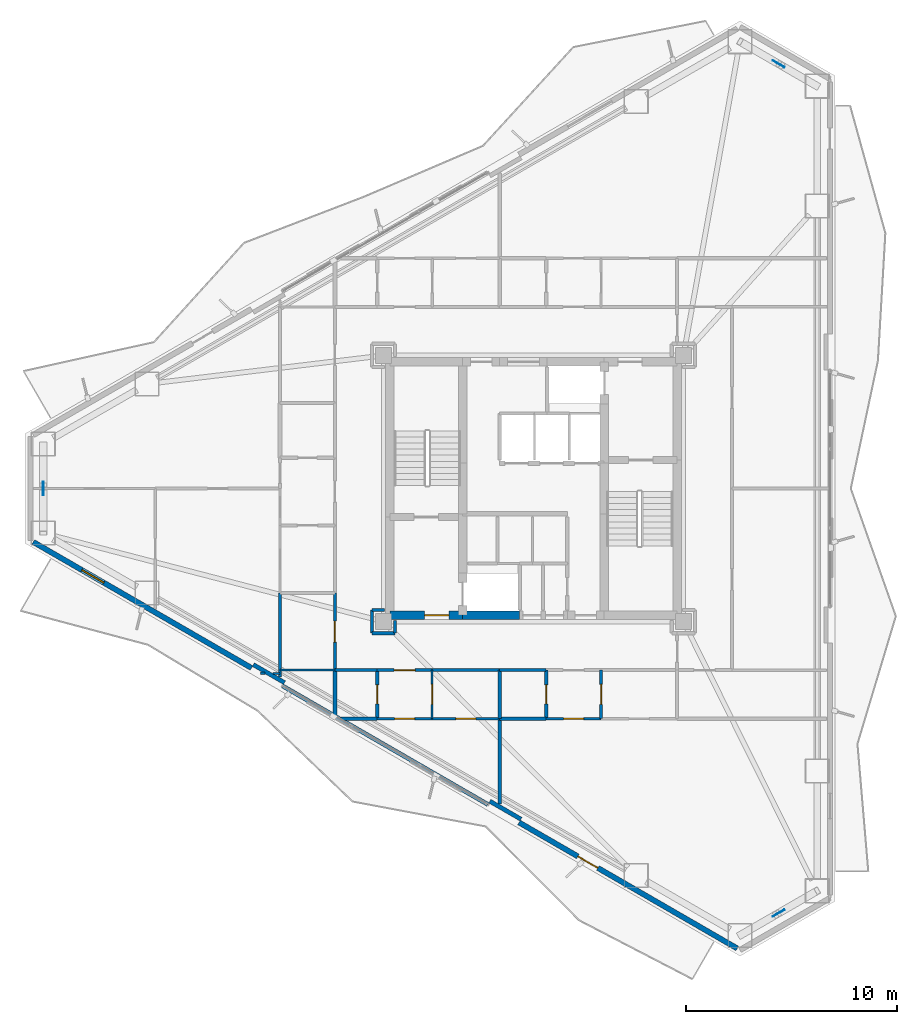
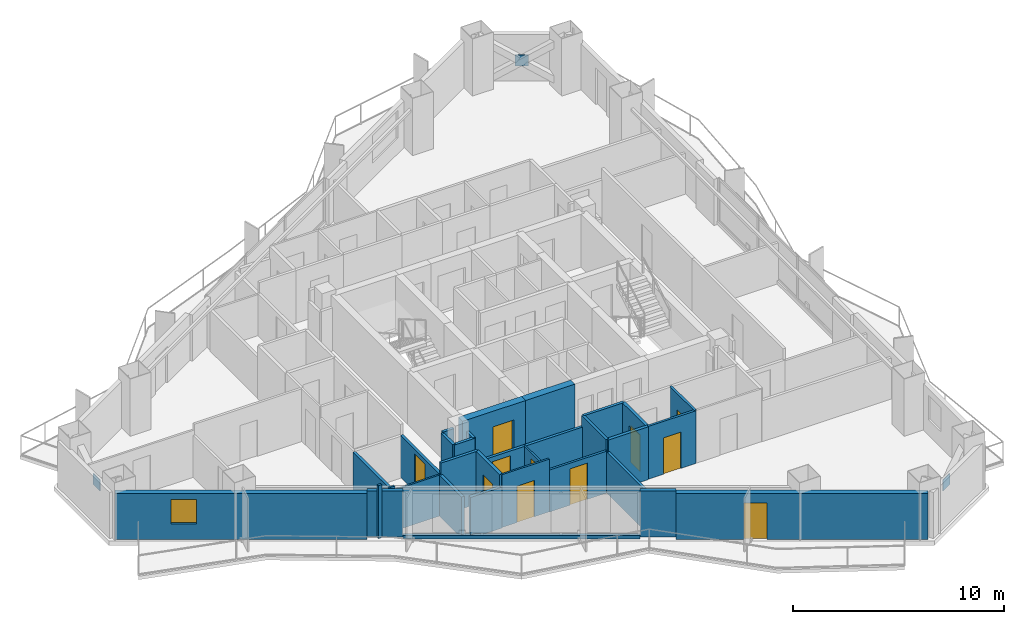
# One storey, part 15 of 22: 32 walls, 11 doors, 3 plates, 1 window, 12 openings.
"""IFC4 building model written with IfcOpenShell, lengths in metres."""

from ifc_helpers import new_model, si_unit, direction, frame, frame_2d, origin, origin_2d, place, context, subcontext, project, spatial, rectangle, extrude, material, layer, layer_set, type_object, element, fill, save


model = new_model("IFC4")

# Units and contexts
model_context = context("Model", 3, precision=1e-05, world=origin(), true_north=direction((0.0, 1.0)))
body_context = subcontext(model_context, "Body", "Model", "MODEL_VIEW")
ifc_project = project(units=[si_unit("LENGTHUNIT", "METRE"), si_unit("AREAUNIT", "SQUARE_METRE"), si_unit("VOLUMEUNIT", "CUBIC_METRE"), si_unit("PLANEANGLEUNIT", "RADIAN"), si_unit("MASSUNIT", "GRAM", prefix="KILO")], contexts=[model_context])

# Site, building, storey
site_placement = place(None, origin())
site = spatial("IfcSite", under=ifc_project, at=site_placement, CompositionType="ELEMENT")
building_placement = place(site_placement, origin())
building = spatial("IfcBuilding", under=site, at=building_placement, Name="Mersakhor Tower and Convention Hall", CompositionType="ELEMENT")
storey_placement = place(building_placement, frame((0.0, 0.0, 99.89990234375)))
storey = spatial("IfcBuildingStorey", under=building, at=storey_placement, Name="L27", CompositionType="ELEMENT", Elevation=99.89990234375)

# Plates
ifc_material_1 = material(Name="Steel S460", Category="steel")
ifc_layer_1 = layer(ifc_material_1, 0.0400390625)
ifc_layer_set_1 = layer_set([ifc_layer_1], Name="Steel S460")
plate_type = type_object("IfcPlateType", Name="PL-GUSSET-40", PredefinedType="SHEET", material=ifc_layer_set_1)
for number, where, z_axis, x_axis, name in (
    (1, (40.606689453125, 46.853515625, 1.205078125), (0.0, 0.0, 1.0), (-0.866025403784, 0.5, 0.0), "L27 X-Brace Crossing Gusset Node Plate"),
    (2, (40.606689453125, 6.646728515625, 1.205078125), (0.0, 0.0, 1.0), (0.866025403784, 0.5, 0.0), "L27 X-Brace Crossing Gusset Node Plate"),
    (3, (5.78662109375, 26.75, 1.205078125), (0.0, 0.0, 1.0), (0.0, -1.0, 0.0), "L27 X-Brace Crossing Gusset Node Plate"),
):
    element("IfcPlate", number, at=place(storey_placement, frame(where, z_axis=z_axis, x_axis=x_axis)), inside=storey, type_object=plate_type, Name=name, PredefinedType="SHEET", context=body_context, shape_type="SweptSolid", body=[
        extrude(rectangle(XDim=0.639892578125, YDim=0.0400390625, at=origin_2d()), origin(), (0.0, 0.0, 1.0), 0.639892578125),
    ])

# Wall, opening, door
ifc_material_2 = material(Name="Precast concrete C40/50", Category="concrete")
ifc_layer_2 = layer(ifc_material_2, 0.25)
ifc_layer_set_2 = layer_set([ifc_layer_2], Name="Precast concrete C40/50")
wall_type_1 = type_object("IfcWallType", Name="WL-EXT-250", PredefinedType="SOLIDWALL", material=ifc_layer_set_2)
wall_1_placement = place(storey_placement, frame((38.648681640625, 4.973388671875, 0.0), z_axis=(0.0, 0.0, 1.0), x_axis=(-0.866023023012, 0.500004123596, 0.0)))
wall_1 = element("IfcWall", 4, at=wall_1_placement, inside=storey, type_object=wall_type_1, Name="L27 Exterior Facade Wall F3-B1", PredefinedType="SOLIDWALL", context=body_context, shape_type="SweptSolid", body=[
    extrude(rectangle(XDim=11.9296875, YDim=0.25, at=frame_2d((5.96484375, 0.0))), origin(), (0.0, 0.0, 1.0), 2.670166015625),
])
opening_1_placement = place(wall_1_placement, frame((7.615966796875, 0.0, 0.0)))
opening_1 = element("IfcOpeningElement", 5, at=opening_1_placement, cuts=wall_1, Name="Opening BD-02", PredefinedType="OPENING", context=body_context, shape_type="SweptSolid", body=[
    extrude(rectangle(XDim=1.10009765625, YDim=2.10009765625, at=frame_2d((0.550048828125, 1.050048828125))), frame((0.0, 0.135009765625, 0.0), z_axis=(0.0, -1.0, 0.0), x_axis=(1.0, 0.0, 0.0)), (0.0, 0.0, 1.0), 0.27001953125),
])
ifc_material_3 = material(Name="Thermally broken dark aluminium and safety glass", Category="aluminium")
door_type_1 = type_object("IfcDoorType", Name="DR-BAL-110x210", OperationType="NOTDEFINED", PredefinedType="DOOR", material=ifc_material_3)
door_1_placement = place(opening_1_placement, origin())
door_1 = element("IfcDoor", 6, at=door_1_placement, inside=storey, type_object=door_type_1, Name="L27 Balcony Terrace Door F3-B1", OperationType="SINGLE_SWING_RIGHT", OverallHeight=2.10009765625, OverallWidth=1.10009765625, PredefinedType="DOOR", context=body_context, shape_type="SweptSolid", body=[
    extrude(rectangle(XDim=1.10009765625, YDim=2.10009765625, at=frame_2d((0.550048828125, 1.050048828125))), frame((0.0, 0.02490234375, 0.0), z_axis=(0.0, -1.0, 0.0), x_axis=(1.0, 0.0, 0.0)), (0.0, 0.0, 1.0), 0.050048828125),
])
fill(opening_1, door_1)

# Wall, opening, window
wall_2_placement = place(storey_placement, frame((15.64794921875, 18.2529296875, 0.0), z_axis=(0.0, 0.0, 1.0), x_axis=(-0.866023023012, 0.500004123596, 0.0)))
wall_2 = element("IfcWall", 7, at=wall_2_placement, inside=storey, type_object=wall_type_1, Name="L27 Exterior Facade Wall F3-B3", PredefinedType="SOLIDWALL", context=body_context, shape_type="SweptSolid", body=[
    extrude(rectangle(XDim=11.9296875, YDim=0.25, at=frame_2d((5.96484375, 0.0))), origin(), (0.0, 0.0, 1.0), 2.670166015625),
])
opening_2_placement = place(wall_2_placement, frame((8.071044921875, 0.0, 0.89990234375)))
opening_2 = element("IfcOpeningElement", 8, at=opening_2_placement, cuts=wall_2, Name="Opening W-01", PredefinedType="OPENING", context=body_context, shape_type="SweptSolid", body=[
    extrude(rectangle(XDim=1.199951171875, YDim=1.39990234375, at=frame_2d((0.60009765625, 0.699951171875))), frame((0.0, 0.135009765625, 0.0), z_axis=(0.0, -1.0, 0.0), x_axis=(1.0, 0.0, 0.0)), (0.0, 0.0, 1.0), 0.27001953125),
])
ifc_material_4 = material(Name="Dark solar low-E glazed aluminium window", Category="aluminium")
window_type = type_object("IfcWindowType", Name="WN-RES-120x150", PartitioningType="SINGLE_PANEL", PredefinedType="WINDOW", material=ifc_material_4)
window_placement = place(opening_2_placement, origin())
window = element("IfcWindow", 9, at=window_placement, inside=storey, type_object=window_type, Name="L27 Bedroom Facade Window F3-B3-1", OverallHeight=1.39990234375, OverallWidth=1.199951171875, PartitioningType="SINGLE_PANEL", PredefinedType="WINDOW", context=body_context, shape_type="SweptSolid", body=[
    extrude(rectangle(XDim=1.199951171875, YDim=1.39990234375, at=frame_2d((0.60009765625, 0.699951171875))), frame((0.0, 0.030029296875, 0.0), z_axis=(0.0, -1.0, 0.0), x_axis=(1.0, 0.0, 0.0)), (0.0, 0.0, 1.0), 0.06005859375),
])
fill(opening_2, window)

# Walls
ifc_material_5 = material(Name="Precast concrete C40/50", Category="concrete")
ifc_layer_3 = layer(ifc_material_5, 0.199951171875)
ifc_layer_set_3 = layer_set([ifc_layer_3], Name="Precast concrete C40/50")
wall_type_2 = type_object("IfcWallType", Name="WL-PAR-200", PredefinedType="PARAPET", material=ifc_layer_set_3)
wall_3_placement = place(storey_placement, frame((26.84521484375, 11.788330078125, 0.0), z_axis=(0.0, 0.0, 1.0), x_axis=(-0.866027010039, 0.499997217876, 0.0)))
element("IfcWall", 10, at=wall_3_placement, inside=storey, type_object=wall_type_2, Name="L27 Curtain Wall Upstand Sill F3-B2", PredefinedType="PARAPET", context=body_context, shape_type="SweptSolid", body=[
    extrude(rectangle(XDim=11.2294921875, YDim=0.199951171875, at=frame_2d((5.61474609375, 0.0))), origin(), (0.0, 0.0, 1.0), 0.2001953125),
])
wall_4_placement = place(storey_placement, frame((28.407470703125, 11.09423828125, 0.0), z_axis=(0.0, 0.0, 1.0), x_axis=(-0.86605165483, 0.499954529098, 0.0)))
element("IfcWall", 11, at=wall_4_placement, inside=storey, type_object=wall_type_2, Name="L27 Column Pier Cladding Wall F3-C1", PredefinedType="PARAPET", context=body_context, shape_type="SweptSolid", body=[
    extrude(rectangle(XDim=1.699951171875, YDim=0.199951171875, at=frame_2d((0.85009765625, 0.0))), origin(), (0.0, 0.0, 1.0), 2.670166015625),
])
wall_5_placement = place(storey_placement, frame((17.210205078125, 17.558837890625, 0.0), z_axis=(0.0, 0.0, 1.0), x_axis=(-0.866025371046, 0.500000056704, 0.0)))
element("IfcWall", 12, at=wall_5_placement, inside=storey, type_object=wall_type_2, Name="L27 Column Pier Cladding Wall F3-C2", PredefinedType="PARAPET", context=body_context, shape_type="SweptSolid", body=[
    extrude(rectangle(XDim=1.7001953125, YDim=0.199951171875, at=frame_2d((0.85009765625, 0.0))), origin(), (0.0, 0.0, 1.0), 2.670166015625),
])

# Wall, opening, door
ifc_material_6 = material(Name="Moisture-resistant acoustic drywall studwork", Category="other")
ifc_layer_4 = layer(ifc_material_6, 0.175048828125)
ifc_layer_set_4 = layer_set([ifc_layer_4], Name="Moisture-resistant acoustic drywall studwork")
wall_type_3 = type_object("IfcWallType", Name="WL-PLM-175", PredefinedType="PLUMBINGWALL", material=ifc_layer_set_4)
wall_6_placement = place(storey_placement, frame((21.60009765625, 15.85009765625, 0.0), z_axis=(0.0, 0.0, 1.0), x_axis=(0.0, 1.0, 0.0)))
wall_6 = element("IfcWall", 13, at=wall_6_placement, inside=storey, type_object=wall_type_3, Name="L27 Interior Partition Wall P-067", PredefinedType="PLUMBINGWALL", context=body_context, shape_type="SweptSolid", body=[
    extrude(rectangle(XDim=2.2998046875, YDim=0.175048828125, at=frame_2d((1.14990234375, 0.0))), origin(), (0.0, 0.0, 1.0), 3.050048828125),
])
opening_3_placement = place(wall_6_placement, frame((0.699951171875, 0.0, 0.0)))
opening_3 = element("IfcOpeningElement", 14, at=opening_3_placement, cuts=wall_6, Name="Opening WD-01", PredefinedType="OPENING", context=body_context, shape_type="SweptSolid", body=[
    extrude(rectangle(XDim=0.89990234375, YDim=2.10009765625, at=frame_2d((0.449951171875, 1.050048828125))), frame((0.0, 0.097412109375, 0.0), z_axis=(0.0, -1.0, 0.0), x_axis=(1.0, 0.0, 0.0)), (0.0, 0.0, 1.0), 0.195068359375),
])
ifc_material_7 = material(Name="Solid-core hardwood leaf in painted steel frame", Category="steel")
door_type_2 = type_object("IfcDoorType", Name="DR-INT-WET-090x210", OperationType="NOTDEFINED", PredefinedType="DOOR", material=ifc_material_7)
door_2_placement = place(opening_3_placement, origin())
door_2 = element("IfcDoor", 15, at=door_2_placement, inside=storey, type_object=door_type_2, Name="L27 L27 Flat S3 Apartment Hall to L27 Flat S3 Bathroom Door", OperationType="SINGLE_SWING_LEFT", OverallHeight=2.10009765625, OverallWidth=0.89990234375, PredefinedType="DOOR", context=body_context, shape_type="SweptSolid", body=[
    extrude(rectangle(XDim=0.89990234375, YDim=2.10009765625, at=frame_2d((0.449951171875, 1.050048828125))), frame((0.0, 0.02490234375, 0.0), z_axis=(0.0, -1.0, 0.0), x_axis=(1.0, 0.0, 0.0)), (0.0, 0.0, 1.0), 0.050048828125),
])
fill(opening_3, door_2)

wall_7_placement = place(storey_placement, frame((29.60009765625, 15.85009765625, 0.0), z_axis=(0.0, 0.0, 1.0), x_axis=(0.0, 1.0, 0.0)))
wall_7 = element("IfcWall", 16, at=wall_7_placement, inside=storey, type_object=wall_type_3, Name="L27 Interior Partition Wall P-070", PredefinedType="PLUMBINGWALL", context=body_context, shape_type="SweptSolid", body=[
    extrude(rectangle(XDim=2.2998046875, YDim=0.175048828125, at=frame_2d((1.14990234375, 0.0))), origin(), (0.0, 0.0, 1.0), 3.050048828125),
])
opening_4_placement = place(wall_7_placement, frame((0.699951171875, 0.0, 0.0)))
opening_4 = element("IfcOpeningElement", 17, at=opening_4_placement, cuts=wall_7, Name="Opening WD-01", PredefinedType="OPENING", context=body_context, shape_type="SweptSolid", body=[
    extrude(rectangle(XDim=0.89990234375, YDim=2.10009765625, at=frame_2d((0.449951171875, 1.050048828125))), frame((0.0, 0.097412109375, 0.0), z_axis=(0.0, -1.0, 0.0), x_axis=(1.0, 0.0, 0.0)), (0.0, 0.0, 1.0), 0.195068359375),
])
door_3_placement = place(opening_4_placement, origin())
door_3 = element("IfcDoor", 18, at=door_3_placement, inside=storey, type_object=door_type_2, Name="L27 L27 Flat S4 Apartment Hall to L27 Flat S4 Bathroom Door", OperationType="SINGLE_SWING_RIGHT", OverallHeight=2.10009765625, OverallWidth=0.89990234375, PredefinedType="DOOR", context=body_context, shape_type="SweptSolid", body=[
    extrude(rectangle(XDim=0.89990234375, YDim=2.10009765625, at=frame_2d((0.449951171875, 1.050048828125))), frame((0.0, 0.02490234375, 0.0), z_axis=(0.0, -1.0, 0.0), x_axis=(1.0, 0.0, 0.0)), (0.0, 0.0, 1.0), 0.050048828125),
])
fill(opening_4, door_3)

# Walls
wall_8_placement = place(storey_placement, frame((21.60009765625, 15.85009765625, 0.0), z_axis=(0.0, 0.0, 1.0), x_axis=(-1.0, 0.0, 0.0)))
element("IfcWall", 19, at=wall_8_placement, inside=storey, type_object=wall_type_3, Name="L27 Interior Partition Wall P-083", PredefinedType="PLUMBINGWALL", context=body_context, shape_type="SweptSolid", body=[
    extrude(rectangle(XDim=1.724609375, YDim=0.175048828125, at=frame_2d((0.8623046875, 0.0))), origin(), (0.0, 0.0, 1.0), 2.364990234375),
])
wall_9_placement = place(storey_placement, frame((19.60009765625, 16.012939453125, 0.0), z_axis=(0.0, 0.0, 1.0), x_axis=(0.0, 1.0, 0.0)))
element("IfcWall", 20, at=wall_9_placement, inside=storey, type_object=wall_type_3, Name="L27 Interior Partition Wall P-084", PredefinedType="PLUMBINGWALL", context=body_context, shape_type="SweptSolid", body=[
    extrude(rectangle(XDim=2.136962890625, YDim=0.175048828125, at=frame_2d((1.068359375, 0.0))), origin(), (0.0, 0.0, 1.0), 2.364990234375),
])
wall_10_placement = place(storey_placement, frame((29.60009765625, 15.85009765625, 0.0), z_axis=(0.0, 0.0, 1.0), x_axis=(-1.0, 0.0, 0.0)))
element("IfcWall", 21, at=wall_10_placement, inside=storey, type_object=wall_type_3, Name="L27 Interior Partition Wall P-087", PredefinedType="PLUMBINGWALL", context=body_context, shape_type="SweptSolid", body=[
    extrude(rectangle(XDim=2.2001953125, YDim=0.175048828125, at=frame_2d((1.10009765625, 0.0))), origin(), (0.0, 0.0, 1.0), 3.050048828125),
])

# Wall, opening, door
ifc_material_8 = material(Name="Lightweight gypsum partition", Category="other")
ifc_layer_5 = layer(ifc_material_8, 0.10009765625)
ifc_layer_set_5 = layer_set([ifc_layer_5], Name="Lightweight gypsum partition")
wall_type_4 = type_object("IfcWallType", Name="WL-PRT-100", PredefinedType="PARTITIONING", material=ifc_layer_set_5)
wall_11_placement = place(storey_placement, frame((24.199951171875, 15.85009765625, 0.0), z_axis=(0.0, 0.0, 1.0), x_axis=(-1.0, 0.0, 0.0)))
wall_11 = element("IfcWall", 22, at=wall_11_placement, inside=storey, type_object=wall_type_4, Name="L27 Interior Partition Wall P-066", PredefinedType="PARTITIONING", context=body_context, shape_type="SweptSolid", body=[
    extrude(rectangle(XDim=2.599853515625, YDim=0.10009765625, at=frame_2d((1.2998046875, 0.0))), origin(), (0.0, 0.0, 1.0), 3.050048828125),
])
opening_5_placement = place(wall_11_placement, frame((0.824951171875, 0.0, 0.0)))
opening_5 = element("IfcOpeningElement", 23, at=opening_5_placement, cuts=wall_11, Name="Opening RD-01", PredefinedType="OPENING", context=body_context, shape_type="SweptSolid", body=[
    extrude(rectangle(XDim=0.949951171875, YDim=2.10009765625, at=frame_2d((0.47509765625, 1.050048828125))), frame((0.0, 0.06005859375, 0.0), z_axis=(0.0, -1.0, 0.0), x_axis=(1.0, 0.0, 0.0)), (0.0, 0.0, 1.0), 0.1201171875),
])
ifc_material_9 = material(Name="Solid-core hardwood leaf in painted steel frame", Category="steel")
door_type_3 = type_object("IfcDoorType", Name="DR-INT-RM-095x210", OperationType="NOTDEFINED", PredefinedType="DOOR", material=ifc_material_9)
door_4_placement = place(opening_5_placement, origin())
door_4 = element("IfcDoor", 24, at=door_4_placement, inside=storey, type_object=door_type_3, Name="L27 L27 Flat S3 Apartment Hall to L27 Flat S3 Studio Living and Sleeping Room Door", OperationType="SINGLE_SWING_LEFT", OverallHeight=2.10009765625, OverallWidth=0.949951171875, PredefinedType="DOOR", context=body_context, shape_type="SweptSolid", body=[
    extrude(rectangle(XDim=0.949951171875, YDim=2.10009765625, at=frame_2d((0.47509765625, 1.050048828125))), frame((0.0, 0.02490234375, 0.0), z_axis=(0.0, -1.0, 0.0), x_axis=(1.0, 0.0, 0.0)), (0.0, 0.0, 1.0), 0.050048828125),
])
fill(opening_5, door_4)

wall_12_placement = place(storey_placement, frame((24.199951171875, 18.14990234375, 0.0), z_axis=(0.0, 0.0, 1.0), x_axis=(0.0, -1.0, 0.0)))
wall_12 = element("IfcWall", 25, at=wall_12_placement, inside=storey, type_object=wall_type_4, Name="L27 Interior Partition Wall P-068", PredefinedType="PARTITIONING", context=body_context, shape_type="SweptSolid", body=[
    extrude(rectangle(XDim=2.2998046875, YDim=0.10009765625, at=frame_2d((1.14990234375, 0.0))), origin(), (0.0, 0.0, 1.0), 2.4228515625),
])
opening_6_placement = place(wall_12_placement, frame((0.675048828125, 0.0, 0.0)))
opening_6 = element("IfcOpeningElement", 26, at=opening_6_placement, cuts=wall_12, Name="Opening RD-01", PredefinedType="OPENING", context=body_context, shape_type="SweptSolid", body=[
    extrude(rectangle(XDim=0.949951171875, YDim=2.10009765625, at=frame_2d((0.47509765625, 1.050048828125))), frame((0.0, 0.06005859375, 0.0), z_axis=(0.0, -1.0, 0.0), x_axis=(1.0, 0.0, 0.0)), (0.0, 0.0, 1.0), 0.1201171875),
])
door_5_placement = place(opening_6_placement, origin())
door_5 = element("IfcDoor", 27, at=door_5_placement, inside=storey, type_object=door_type_3, Name="L27 L27 Flat S3 Apartment Hall to L27 Flat S3 Kitchen Door", OperationType="SINGLE_SWING_RIGHT", OverallHeight=2.10009765625, OverallWidth=0.949951171875, PredefinedType="DOOR", context=body_context, shape_type="SweptSolid", body=[
    extrude(rectangle(XDim=0.949951171875, YDim=2.10009765625, at=frame_2d((0.47509765625, 1.050048828125))), frame((0.0, 0.02490234375, 0.0), z_axis=(0.0, -1.0, 0.0), x_axis=(1.0, 0.0, 0.0)), (0.0, 0.0, 1.0), 0.050048828125),
])
fill(opening_6, door_5)

# Walls
wall_13_placement = place(storey_placement, frame((19.60009765625, 18.14990234375, 0.0), z_axis=(0.0, 0.0, 1.0), x_axis=(-1.0, 0.0, 0.0)))
element("IfcWall", 28, at=wall_13_placement, inside=storey, type_object=wall_type_4, Name="L27 Interior Partition Wall P-102", PredefinedType="PARTITIONING", context=body_context, shape_type="SweptSolid", body=[
    extrude(rectangle(XDim=2.60009765625, YDim=0.10009765625, at=frame_2d((1.300048828125, 0.0))), origin(), (0.0, 0.0, 1.0), 2.364990234375),
])
wall_14_placement = place(storey_placement, frame((17.0, 18.0, 0.0), z_axis=(0.0, 0.0, 1.0), x_axis=(-1.0, 0.0, 0.0)))
element("IfcWall", 29, at=wall_14_placement, inside=storey, type_object=wall_type_4, Name="L27 Interior Partition Wall P-112", PredefinedType="PARTITIONING", context=body_context, shape_type="SweptSolid", body=[
    extrude(rectangle(XDim=0.328369140625, YDim=0.10009765625, at=frame_2d((0.1640625, 0.0))), origin(), (0.0, 0.0, 1.0), 2.714599609375),
])

# Wall, opening, door
ifc_material_10 = material(Name="Gypsum board acoustic partition", Category="other")
ifc_layer_6 = layer(ifc_material_10, 0.125)
ifc_layer_set_6 = layer_set([ifc_layer_6], Name="Gypsum board acoustic partition")
wall_type_5 = type_object("IfcWallType", Name="WL-PRT-125", PredefinedType="PARTITIONING", material=ifc_layer_set_6)
wall_15_placement = place(storey_placement, frame((32.199951171875, 15.85009765625, 0.0), z_axis=(0.0, 0.0, 1.0), x_axis=(-1.0, 0.0, 0.0)))
wall_15 = element("IfcWall", 30, at=wall_15_placement, inside=storey, type_object=wall_type_5, Name="L27 Interior Partition Wall P-069", PredefinedType="PARTITIONING", context=body_context, shape_type="SweptSolid", body=[
    extrude(rectangle(XDim=2.599853515625, YDim=0.125, at=frame_2d((1.2998046875, 0.0))), origin(), (0.0, 0.0, 1.0), 3.050048828125),
])
opening_7_placement = place(wall_15_placement, frame((0.824951171875, 0.0, 0.0)))
opening_7 = element("IfcOpeningElement", 31, at=opening_7_placement, cuts=wall_15, Name="Opening RD-01", PredefinedType="OPENING", context=body_context, shape_type="SweptSolid", body=[
    extrude(rectangle(XDim=0.949951171875, YDim=2.10009765625, at=frame_2d((0.47509765625, 1.050048828125))), frame((0.0, 0.072509765625, 0.0), z_axis=(0.0, -1.0, 0.0), x_axis=(1.0, 0.0, 0.0)), (0.0, 0.0, 1.0), 0.14501953125),
])
door_6_placement = place(opening_7_placement, origin())
door_6 = element("IfcDoor", 32, at=door_6_placement, inside=storey, type_object=door_type_3, Name="L27 L27 Flat S4 Apartment Hall to L27 Flat S4 Studio Living and Sleeping Room Door", OperationType="SINGLE_SWING_RIGHT", OverallHeight=2.10009765625, OverallWidth=0.949951171875, PredefinedType="DOOR", context=body_context, shape_type="SweptSolid", body=[
    extrude(rectangle(XDim=0.949951171875, YDim=2.10009765625, at=frame_2d((0.47509765625, 1.050048828125))), frame((0.0, 0.02490234375, 0.0), z_axis=(0.0, -1.0, 0.0), x_axis=(1.0, 0.0, 0.0)), (0.0, 0.0, 1.0), 0.050048828125),
])
fill(opening_7, door_6)

wall_16_placement = place(storey_placement, frame((32.199951171875, 18.14990234375, 0.0), z_axis=(0.0, 0.0, 1.0), x_axis=(0.0, -1.0, 0.0)))
wall_16 = element("IfcWall", 33, at=wall_16_placement, inside=storey, type_object=wall_type_5, Name="L27 Interior Partition Wall P-071", PredefinedType="PARTITIONING", context=body_context, shape_type="SweptSolid", body=[
    extrude(rectangle(XDim=2.2998046875, YDim=0.125, at=frame_2d((1.14990234375, 0.0))), origin(), (0.0, 0.0, 1.0), 3.050048828125),
])
opening_8_placement = place(wall_16_placement, frame((0.675048828125, 0.0, 0.0)))
opening_8 = element("IfcOpeningElement", 34, at=opening_8_placement, cuts=wall_16, Name="Opening RD-01", PredefinedType="OPENING", context=body_context, shape_type="SweptSolid", body=[
    extrude(rectangle(XDim=0.949951171875, YDim=2.10009765625, at=frame_2d((0.47509765625, 1.050048828125))), frame((0.0, 0.072509765625, 0.0), z_axis=(0.0, -1.0, 0.0), x_axis=(1.0, 0.0, 0.0)), (0.0, 0.0, 1.0), 0.14501953125),
])
door_7_placement = place(opening_8_placement, origin())
door_7 = element("IfcDoor", 35, at=door_7_placement, inside=storey, type_object=door_type_3, Name="L27 L27 Flat S4 Apartment Hall to L27 Flat S4 Kitchen Door", OperationType="SINGLE_SWING_LEFT", OverallHeight=2.10009765625, OverallWidth=0.949951171875, PredefinedType="DOOR", context=body_context, shape_type="SweptSolid", body=[
    extrude(rectangle(XDim=0.949951171875, YDim=2.10009765625, at=frame_2d((0.47509765625, 1.050048828125))), frame((0.0, 0.02490234375, 0.0), z_axis=(0.0, -1.0, 0.0), x_axis=(1.0, 0.0, 0.0)), (0.0, 0.0, 1.0), 0.050048828125),
])
fill(opening_8, door_7)

wall_17_placement = place(storey_placement, frame((27.39990234375, 15.85009765625, 0.0), z_axis=(0.0, 0.0, 1.0), x_axis=(-1.0, 0.0, 0.0)))
wall_17 = element("IfcWall", 36, at=wall_17_placement, inside=storey, type_object=wall_type_5, Name="L27 Interior Partition Wall P-085", PredefinedType="PARTITIONING", context=body_context, shape_type="SweptSolid", body=[
    extrude(rectangle(XDim=3.199951171875, YDim=0.125, at=frame_2d((1.60009765625, 0.0))), origin(), (0.0, 0.0, 1.0), 2.4228515625),
])
opening_9_placement = place(wall_17_placement, frame((1.125, 0.0, 0.0)))
opening_9 = element("IfcOpeningElement", 37, at=opening_9_placement, cuts=wall_17, Name="Opening RD-01", PredefinedType="OPENING", context=body_context, shape_type="SweptSolid", body=[
    extrude(rectangle(XDim=0.949951171875, YDim=2.10009765625, at=frame_2d((0.47509765625, 1.050048828125))), frame((0.0, 0.072509765625, 0.0), z_axis=(0.0, -1.0, 0.0), x_axis=(1.0, 0.0, 0.0)), (0.0, 0.0, 1.0), 0.14501953125),
])
door_8_placement = place(opening_9_placement, origin())
door_8 = element("IfcDoor", 38, at=door_8_placement, inside=storey, type_object=door_type_3, Name="L27 L27 Flat S3 Kitchen to L27 Flat S3 Studio Living and Sleeping Room Door", OperationType="SINGLE_SWING_LEFT", OverallHeight=2.10009765625, OverallWidth=0.949951171875, PredefinedType="DOOR", context=body_context, shape_type="SweptSolid", body=[
    extrude(rectangle(XDim=0.949951171875, YDim=2.10009765625, at=frame_2d((0.47509765625, 1.050048828125))), frame((0.0, 0.02490234375, 0.0), z_axis=(0.0, -1.0, 0.0), x_axis=(1.0, 0.0, 0.0)), (0.0, 0.0, 1.0), 0.050048828125),
])
fill(opening_9, door_8)

# Walls
wall_18_placement = place(storey_placement, frame((16.2861328125, 18.0, 0.0), z_axis=(0.0, 0.0, 1.0), x_axis=(-1.0, 0.0, 0.0)))
element("IfcWall", 39, at=wall_18_placement, inside=storey, type_object=wall_type_5, Name="L27 Interior Partition Wall P-113", PredefinedType="PARTITIONING", context=body_context, shape_type="SweptSolid", body=[
    extrude(rectangle(XDim=0.2001953125, YDim=0.125, at=frame_2d((0.10009765625, 0.0))), origin(), (0.0, 0.0, 1.0), 3.050048828125),
])
ifc_material_11 = material(Name="Fire-rated gypsum board stud partition", Category="other")
ifc_layer_7 = layer(ifc_material_11, 0.14990234375)
ifc_layer_set_7 = layer_set([ifc_layer_7], Name="Fire-rated gypsum board stud partition")
wall_type_6 = type_object("IfcWallType", Name="WL-PRT-150", PredefinedType="PARTITIONING", material=ifc_layer_set_7)
wall_19_placement = place(storey_placement, frame((21.35009765625, 19.89990234375, 0.0), z_axis=(0.0, 0.0, 1.0), x_axis=(1.0, 0.0, 0.0)))
element("IfcWall", 40, at=wall_19_placement, inside=storey, type_object=wall_type_6, Name="L27 Interior Partition Wall P-019", PredefinedType="PARTITIONING", context=body_context, shape_type="SweptSolid", body=[
    extrude(rectangle(XDim=1.099853515625, YDim=0.14990234375, at=frame_2d((0.5498046875, 0.0))), origin(), (0.0, 0.0, 1.0), 2.4228515625),
])
wall_20_placement = place(storey_placement, frame((22.449951171875, 19.89990234375, 0.0), z_axis=(0.0, 0.0, 1.0), x_axis=(0.0, 1.0, 0.0)))
element("IfcWall", 41, at=wall_20_placement, inside=storey, type_object=wall_type_6, Name="L27 Interior Partition Wall P-020", PredefinedType="PARTITIONING", context=body_context, shape_type="SweptSolid", body=[
    extrude(rectangle(XDim=0.60009765625, YDim=0.14990234375, at=frame_2d((0.300048828125, 0.0))), origin(), (0.0, 0.0, 1.0), 2.4228515625),
])
wall_21_placement = place(storey_placement, frame((29.60009765625, 18.14990234375, 0.0), z_axis=(0.0, 0.0, 1.0), x_axis=(-1.0, 0.0, 0.0)))
element("IfcWall", 42, at=wall_21_placement, inside=storey, type_object=wall_type_6, Name="L27 Interior Partition Wall P-026", PredefinedType="PARTITIONING", context=body_context, shape_type="SweptSolid", body=[
    extrude(rectangle(XDim=2.2001953125, YDim=0.14990234375, at=frame_2d((1.10009765625, 0.0))), origin(), (0.0, 0.0, 1.0), 3.050048828125),
])
wall_22_placement = place(storey_placement, frame((27.39990234375, 18.14990234375, 0.0), z_axis=(0.0, 0.0, 1.0), x_axis=(-1.0, 0.0, 0.0)))
element("IfcWall", 43, at=wall_22_placement, inside=storey, type_object=wall_type_6, Name="L27 Interior Partition Wall P-027", PredefinedType="PARTITIONING", context=body_context, shape_type="SweptSolid", body=[
    extrude(rectangle(XDim=3.199951171875, YDim=0.14990234375, at=frame_2d((1.60009765625, 0.0))), origin(), (0.0, 0.0, 1.0), 2.4228515625),
])

# Wall, opening, door
wall_23_placement = place(storey_placement, frame((24.199951171875, 18.14990234375, 0.0), z_axis=(0.0, 0.0, 1.0), x_axis=(-1.0, 0.0, 0.0)))
wall_23 = element("IfcWall", 44, at=wall_23_placement, inside=storey, type_object=wall_type_6, Name="L27 Interior Partition Wall P-028", PredefinedType="PARTITIONING", context=body_context, shape_type="SweptSolid", body=[
    extrude(rectangle(XDim=2.599853515625, YDim=0.14990234375, at=frame_2d((1.2998046875, 0.0))), origin(), (0.0, 0.0, 1.0), 2.4228515625),
])
opening_10_placement = place(wall_23_placement, frame((0.800048828125, 0.0, 0.0)))
opening_10 = element("IfcOpeningElement", 45, at=opening_10_placement, cuts=wall_23, Name="Opening FD-01", PredefinedType="OPENING", context=body_context, shape_type="SweptSolid", body=[
    extrude(rectangle(XDim=1.0, YDim=2.14990234375, at=frame_2d((0.5, 1.074951171875))), frame((0.0, 0.0849609375, 0.0), z_axis=(0.0, -1.0, 0.0), x_axis=(1.0, 0.0, 0.0)), (0.0, 0.0, 1.0), 0.169921875),
])
ifc_material_12 = material(Name="Fire-rated hardwood leaf and painted steel frame", Category="steel")
door_type_4 = type_object("IfcDoorType", Name="DR-INT-FLT-100x215", OperationType="NOTDEFINED", PredefinedType="DOOR", material=ifc_material_12)
door_9_placement = place(opening_10_placement, origin())
door_9 = element("IfcDoor", 46, at=door_9_placement, inside=storey, type_object=door_type_4, Name="L27 Apartment Entrance Door (Residential Ring Corridor to L27 Flat S3 Apartment Hall)", OperationType="SINGLE_SWING_RIGHT", OverallHeight=2.14990234375, OverallWidth=1.0, PredefinedType="DOOR", context=body_context, shape_type="SweptSolid", body=[
    extrude(rectangle(XDim=1.0, YDim=2.14990234375, at=frame_2d((0.5, 1.074951171875))), frame((0.0, 0.02490234375, 0.0), z_axis=(0.0, -1.0, 0.0), x_axis=(1.0, 0.0, 0.0)), (0.0, 0.0, 1.0), 0.050048828125),
])
fill(opening_10, door_9)

# Wall
wall_24_placement = place(storey_placement, frame((21.60009765625, 18.14990234375, 0.0), z_axis=(0.0, 0.0, 1.0), x_axis=(-1.0, 0.0, 0.0)))
element("IfcWall", 47, at=wall_24_placement, inside=storey, type_object=wall_type_6, Name="L27 Interior Partition Wall P-029", PredefinedType="PARTITIONING", context=body_context, shape_type="SweptSolid", body=[
    extrude(rectangle(XDim=2.0, YDim=0.14990234375, at=frame_2d((1.0, 0.0))), origin(), (0.0, 0.0, 1.0), 3.050048828125),
])

# Wall, opening, door
wall_25_placement = place(storey_placement, frame((19.60009765625, 18.14990234375, 0.0), z_axis=(0.0, 0.0, 1.0), x_axis=(0.0, 1.0, 0.0)))
wall_25 = element("IfcWall", 48, at=wall_25_placement, inside=storey, type_object=wall_type_6, Name="L27 Interior Partition Wall P-030", PredefinedType="PARTITIONING", context=body_context, shape_type="SweptSolid", body=[
    extrude(rectangle(XDim=3.650146484375, YDim=0.14990234375, at=frame_2d((1.8251953125, 0.0))), origin(), (0.0, 0.0, 1.0), 2.4228515625),
])
opening_11_placement = place(wall_25_placement, frame((1.324951171875, 0.0, 0.0)))
opening_11 = element("IfcOpeningElement", 49, at=opening_11_placement, cuts=wall_25, Name="Opening FD-01", PredefinedType="OPENING", context=body_context, shape_type="SweptSolid", body=[
    extrude(rectangle(XDim=1.0, YDim=2.14990234375, at=frame_2d((0.5, 1.074951171875))), frame((0.0, 0.0849609375, 0.0), z_axis=(0.0, -1.0, 0.0), x_axis=(1.0, 0.0, 0.0)), (0.0, 0.0, 1.0), 0.169921875),
])
door_10_placement = place(opening_11_placement, origin())
door_10 = element("IfcDoor", 50, at=door_10_placement, inside=storey, type_object=door_type_4, Name="L27 Residential Ring Corridor to L27 West Wing Shared Laundry Room Door", OperationType="SINGLE_SWING_RIGHT", OverallHeight=2.14990234375, OverallWidth=1.0, PredefinedType="DOOR", context=body_context, shape_type="SweptSolid", body=[
    extrude(rectangle(XDim=1.0, YDim=2.14990234375, at=frame_2d((0.5, 1.074951171875))), frame((0.0, 0.02490234375, 0.0), z_axis=(0.0, -1.0, 0.0), x_axis=(1.0, 0.0, 0.0)), (0.0, 0.0, 1.0), 0.050048828125),
])
fill(opening_11, door_10)

# Walls
wall_26_placement = place(storey_placement, frame((21.949951171875, 21.0, 0.0), z_axis=(0.0, 0.0, 1.0), x_axis=(-1.0, 0.0, 0.0)))
element("IfcWall", 51, at=wall_26_placement, inside=storey, type_object=wall_type_6, Name="L27 Interior Partition Wall P-048", PredefinedType="PARTITIONING", context=body_context, shape_type="SweptSolid", body=[
    extrude(rectangle(XDim=0.599853515625, YDim=0.14990234375, at=frame_2d((0.2998046875, 0.0))), origin(), (0.0, 0.0, 1.0), 2.498291015625),
])
wall_27_placement = place(storey_placement, frame((21.35009765625, 21.0, 0.0), z_axis=(0.0, 0.0, 1.0), x_axis=(0.0, -1.0, 0.0)))
element("IfcWall", 52, at=wall_27_placement, inside=storey, type_object=wall_type_6, Name="L27 Interior Partition Wall P-049", PredefinedType="PARTITIONING", context=body_context, shape_type="SweptSolid", body=[
    extrude(rectangle(XDim=1.10009765625, YDim=0.14990234375, at=frame_2d((0.550048828125, 0.0))), origin(), (0.0, 0.0, 1.0), 2.4228515625),
])
wall_28_placement = place(storey_placement, frame((27.39990234375, 18.14990234375, 0.0), z_axis=(0.0, 0.0, 1.0), x_axis=(0.0, -1.0, 0.0)))
element("IfcWall", 53, at=wall_28_placement, inside=storey, type_object=wall_type_6, Name="L27 Interior Partition Wall P-086", PredefinedType="PARTITIONING", context=body_context, shape_type="SweptSolid", body=[
    extrude(rectangle(XDim=2.2998046875, YDim=0.14990234375, at=frame_2d((1.14990234375, 0.0))), origin(), (0.0, 0.0, 1.0), 3.050048828125),
])
wall_29_placement = place(storey_placement, frame((17.0, 17.823486328125, 0.0), z_axis=(0.0, 0.0, 1.0), x_axis=(0.0, 1.0, 0.0)))
element("IfcWall", 54, at=wall_29_placement, inside=storey, type_object=wall_type_6, Name="L27 Interior Partition Wall P-101", PredefinedType="PARTITIONING", context=body_context, shape_type="SweptSolid", body=[
    extrude(rectangle(XDim=3.9765625, YDim=0.14990234375, at=frame_2d((1.98828125, 0.0))), origin(), (0.0, 0.0, 1.0), 2.364990234375),
])
wall_30_placement = place(storey_placement, frame((27.39990234375, 15.85009765625, 0.0), z_axis=(0.0, 0.0, 1.0), x_axis=(0.0, -1.0, 0.0)))
element("IfcWall", 55, at=wall_30_placement, inside=storey, type_object=wall_type_6, Name="L27 Interior Partition Wall P-106", PredefinedType="PARTITIONING", context=body_context, shape_type="SweptSolid", body=[
    extrude(rectangle(XDim=4.031005859375, YDim=0.14990234375, at=frame_2d((2.015625, 0.0))), origin(), (0.0, 0.0, 1.0), 2.364990234375),
])
ifc_material_13 = material(Name="Concrete C60/75", Category="concrete")
ifc_layer_8 = layer(ifc_material_13, 0.39990234375)
ifc_layer_set_8 = layer_set([ifc_layer_8], Name="Concrete C60/75")
wall_type_7 = type_object("IfcWallType", Name="WL-SHR-400", PredefinedType="SHEAR", material=ifc_layer_set_8)
wall_31_placement = place(storey_placement, frame((28.35009765625, 20.75, 0.0), z_axis=(0.0, 0.0, 1.0), x_axis=(-1.0, 0.0, 0.0)))
element("IfcWall", 56, at=wall_31_placement, inside=storey, type_object=wall_type_7, Name="L27 Core Wall CW-S3", PredefinedType="SHEAR", context=body_context, shape_type="SweptSolid", body=[
    extrude(rectangle(XDim=2.7001953125, YDim=0.39990234375, at=frame_2d((1.35009765625, 0.0))), origin(), (0.0, 0.0, 1.0), 3.050048828125),
])

# Wall, opening, door
wall_32_placement = place(storey_placement, frame((25.64990234375, 20.75, 0.0), z_axis=(0.0, 0.0, 1.0), x_axis=(-1.0, 0.0, 0.0)))
wall_32 = element("IfcWall", 57, at=wall_32_placement, inside=storey, type_object=wall_type_7, Name="L27 Core Wall CW-S4", PredefinedType="SHEAR", context=body_context, shape_type="SweptSolid", body=[
    extrude(rectangle(XDim=3.449951171875, YDim=0.39990234375, at=frame_2d((1.72509765625, 0.0))), origin(), (0.0, 0.0, 1.0), 3.050048828125),
])
opening_12_placement = place(wall_32_placement, frame((0.64990234375, 0.0, 0.0)))
opening_12 = element("IfcOpeningElement", 58, at=opening_12_placement, cuts=wall_32, Name="Opening SD-01", PredefinedType="OPENING", context=body_context, shape_type="SweptSolid", body=[
    extrude(rectangle(XDim=1.14990234375, YDim=2.14990234375, at=frame_2d((0.574951171875, 1.074951171875))), frame((0.0, 0.2099609375, 0.0), z_axis=(0.0, -1.0, 0.0), x_axis=(1.0, 0.0, 0.0)), (0.0, 0.0, 1.0), 0.419921875),
])
ifc_material_14 = material(Name="Fire-rated hardwood leaf and painted steel frame", Category="steel")
door_type_5 = type_object("IfcDoorType", Name="DR-INT-STAIR-115x215", OperationType="NOTDEFINED", PredefinedType="DOOR", material=ifc_material_14)
door_11_placement = place(opening_12_placement, origin())
door_11 = element("IfcDoor", 59, at=door_11_placement, inside=storey, type_object=door_type_5, Name="L27 Firefighting Lobby West Fire Door", OperationType="SINGLE_SWING_LEFT", OverallHeight=2.14990234375, OverallWidth=1.14990234375, PredefinedType="DOOR", context=body_context, shape_type="SweptSolid", body=[
    extrude(rectangle(XDim=1.14990234375, YDim=2.14990234375, at=frame_2d((0.574951171875, 1.074951171875))), frame((0.0, 0.02490234375, 0.0), z_axis=(0.0, -1.0, 0.0), x_axis=(1.0, 0.0, 0.0)), (0.0, 0.0, 1.0), 0.050048828125),
])
fill(opening_12, door_11)

save(model, "model.ifc")
